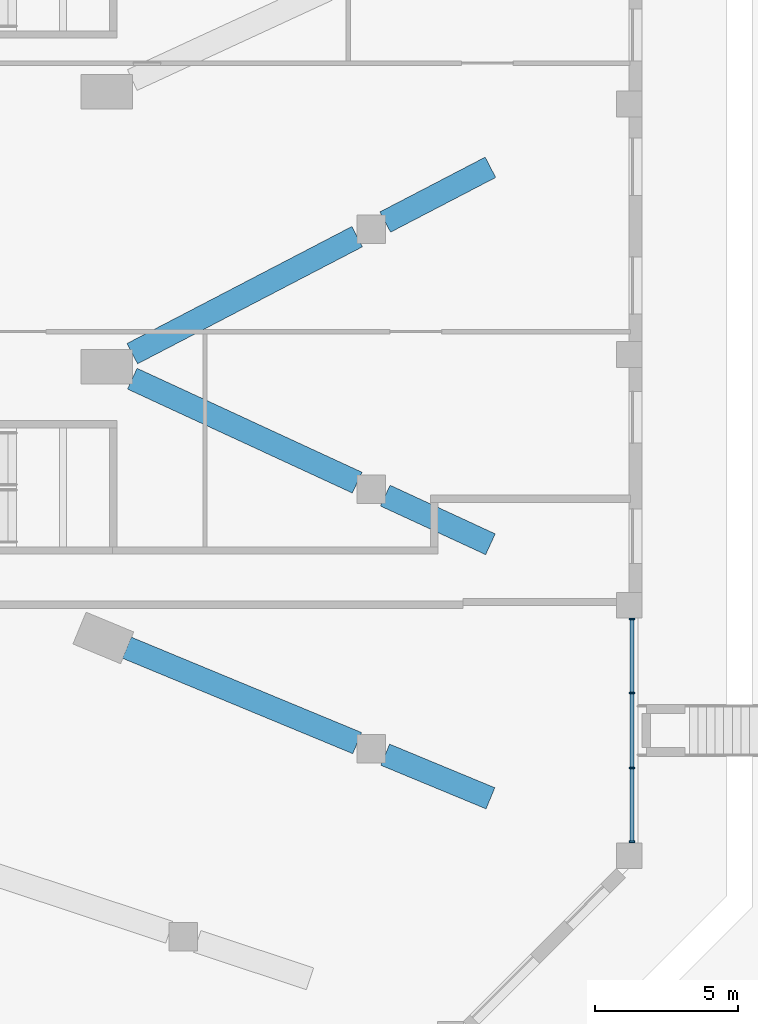
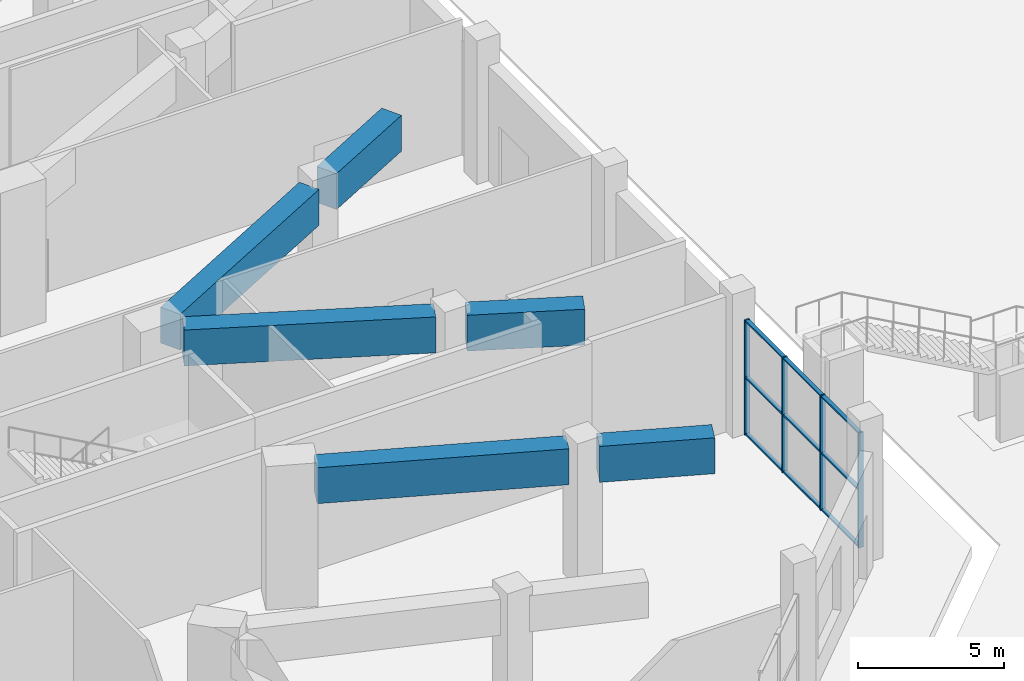
# One storey, part 9 of 36: 13 members, 6 beams, 1 element without a shape of its own.
"""IFC4 building model written with IfcOpenShell, lengths in metres."""

from ifc_helpers import new_model, si_unit, direction, frame, origin, origin_2d, place, context, subcontext, project, spatial, rectangle, extrude, material, material_profile, profile_set, type_object, element, aggregate, save


model = new_model("IFC4")

# Units and contexts
model_context = context("Model", 3, precision=1e-05, world=origin(), true_north=direction((0.0, 1.0)))
body_context = subcontext(model_context, "Body", "Model", "MODEL_VIEW")
ifc_project = project(units=[si_unit("LENGTHUNIT", "METRE"), si_unit("AREAUNIT", "SQUARE_METRE"), si_unit("VOLUMEUNIT", "CUBIC_METRE"), si_unit("PLANEANGLEUNIT", "RADIAN"), si_unit("MASSUNIT", "GRAM", prefix="KILO")], contexts=[model_context])

# Site, building, storey
site_placement = place(None, origin())
site = spatial("IfcSite", under=ifc_project, at=site_placement, CompositionType="ELEMENT")
building_placement = place(site_placement, origin())
building = spatial("IfcBuilding", under=site, at=building_placement, Name="Msitu Wima Residences", CompositionType="ELEMENT")
storey_placement = place(building_placement, origin())
storey = spatial("IfcBuildingStorey", under=building, at=storey_placement, Name="L00", CompositionType="ELEMENT", Elevation=0.0)

# Curtain wall, members
ifc_material_1 = material(Name="Anodised aluminium, bronze finish, clear laminated low-emissivity double glazing", Category="aluminium")
curtain_wall_type = type_object("IfcCurtainWallType", Name="Curtain wall CW1 shopfront", PredefinedType="NOTDEFINED", material=ifc_material_1)
curtain_wall_placement = place(storey_placement, origin())
curtain_wall = element("IfcCurtainWall", 1, at=curtain_wall_placement, inside=storey, type_object=curtain_wall_type, Name="Curtain wall CW1 L00 E0", PredefinedType="NOTDEFINED")
ifc_material_2 = material(Name="Anodised aluminium, bronze finish", Category="aluminium")
ifc_material_profile_1 = material_profile(ifc_material_2, rectangle(XDim=0.199951171875, YDim=0.06494140625, at=origin_2d()), Name="Mullion 65x200")
ifc_profile_set_1 = profile_set([ifc_material_profile_1], Name="Anodised aluminium, bronze finish")
member_type_1 = type_object("IfcMemberType", Name="Mullion CW1 65x200", PredefinedType="MULLION", material=ifc_profile_set_1)
member_1_placement = place(storey_placement, frame((46.89990234375, -21.373291015625, 0.0), z_axis=(0.0, 0.0, 1.0), x_axis=(-1.0, 0.0, 0.0)))
member_1 = element("IfcMember", 2, at=member_1_placement, type_object=member_type_1, Name="CW1 mullion 1", PredefinedType="MULLION", context=body_context, shape_type="SweptSolid", body=[
    extrude(rectangle(XDim=0.199951171875, YDim=0.06494140625, at=origin_2d()), origin(), (0.0, 0.0, 1.0), 4.800048828125),
])
member_2_placement = place(storey_placement, frame((46.89990234375, -18.791748046875, 0.0), z_axis=(0.0, 0.0, 1.0), x_axis=(-1.0, 0.0, 0.0)))
member_2 = element("IfcMember", 3, at=member_2_placement, type_object=member_type_1, Name="CW1 mullion 2", PredefinedType="MULLION", context=body_context, shape_type="SweptSolid", body=[
    extrude(rectangle(XDim=0.199951171875, YDim=0.06494140625, at=origin_2d()), origin(), (0.0, 0.0, 1.0), 4.800048828125),
])
member_3_placement = place(storey_placement, frame((46.89990234375, -16.177734375, 0.0), z_axis=(0.0, 0.0, 1.0), x_axis=(-1.0, 0.0, 0.0)))
member_3 = element("IfcMember", 4, at=member_3_placement, type_object=member_type_1, Name="CW1 mullion 3", PredefinedType="MULLION", context=body_context, shape_type="SweptSolid", body=[
    extrude(rectangle(XDim=0.199951171875, YDim=0.06494140625, at=origin_2d()), origin(), (0.0, 0.0, 1.0), 4.800048828125),
])
member_4_placement = place(storey_placement, frame((46.89990234375, -13.595947265625, 0.0), z_axis=(0.0, 0.0, 1.0), x_axis=(-1.0, 0.0, 0.0)))
member_4 = element("IfcMember", 5, at=member_4_placement, type_object=member_type_1, Name="CW1 mullion 4", PredefinedType="MULLION", context=body_context, shape_type="SweptSolid", body=[
    extrude(rectangle(XDim=0.199951171875, YDim=0.06494140625, at=origin_2d()), origin(), (0.0, 0.0, 1.0), 4.800048828125),
])

# Beams
ifc_material_3 = material(Name="Concrete C60/75", Category="concrete")
ifc_material_profile_2 = material_profile(ifc_material_3, rectangle(XDim=0.800048828125, YDim=1.5, at=origin_2d()), Name="RC 800x1500")
ifc_profile_set_2 = profile_set([ifc_material_profile_2], Name="Concrete C60/75")
beam_type_1 = type_object("IfcBeamType", Name="Podium cantilever girder RC 800x1500 Concrete C60/75", PredefinedType="BEAM", material=ifc_profile_set_2)
beam_1_placement = place(storey_placement, frame((29.274658203125, -14.5966796875, 4.89990234375), z_axis=(0.923886159432, -0.382667433171, 0.0), x_axis=(0.382667433171, 0.923886159432, 0.0)))
element("IfcBeam", 6, at=beam_1_placement, inside=storey, type_object=beam_type_1, Name="Podium cantilever girder L01 C-E0 back-span", PredefinedType="BEAM", context=body_context, shape_type="SweptSolid", body=[
    extrude(rectangle(XDim=0.800048828125, YDim=1.5, at=origin_2d()), origin(), (0.0, 0.0, 1.0), 8.698486328125),
])
beam_2_placement = place(storey_placement, frame((29.464111328125, -5.2109375, 4.89990234375), z_axis=(0.907721172482, -0.419573918432, 0.0), x_axis=(0.419573918432, 0.907721172482, 0.0)))
element("IfcBeam", 7, at=beam_2_placement, inside=storey, type_object=beam_type_1, Name="Podium cantilever girder L01 C-E1 back-span", PredefinedType="BEAM", context=body_context, shape_type="SweptSolid", body=[
    extrude(rectangle(XDim=0.800048828125, YDim=1.5, at=origin_2d()), origin(), (0.0, 0.0, 1.0), 8.644287109375),
])
beam_3_placement = place(storey_placement, frame((29.46435546875, -4.337158203125, 4.89990234375), z_axis=(0.887101077675, 0.461575213793, 0.0), x_axis=(-0.461575213793, 0.887101077675, 0.0)))
element("IfcBeam", 8, at=beam_3_placement, inside=storey, type_object=beam_type_1, Name="Podium cantilever girder L01 C-E2 back-span", PredefinedType="BEAM", context=body_context, shape_type="SweptSolid", body=[
    extrude(rectangle(XDim=0.800048828125, YDim=1.5, at=origin_2d()), origin(), (0.0, 0.0, 1.0), 8.8447265625),
])
ifc_material_profile_3 = material_profile(ifc_material_3, rectangle(XDim=0.800048828125, YDim=1.5, at=origin_2d()), Name="RC 800x1500")
ifc_profile_set_3 = profile_set([ifc_material_profile_3], Name="Concrete C60/75")
beam_type_2 = type_object("IfcBeamType", Name="Podium cantilever girder tip RC 800x1500 Concrete C60/75", PredefinedType="BEAM", material=ifc_profile_set_3)
beam_4_placement = place(storey_placement, frame((38.288818359375, -18.330322265625, 4.89990234375), z_axis=(0.923870855056, -0.382704380924, 0.0), x_axis=(0.382704380924, 0.923870855056, 0.0)))
element("IfcBeam", 9, at=beam_4_placement, inside=storey, type_object=beam_type_2, Name="Podium cantilever girder L01 C-E0 cantilever", PredefinedType="BEAM", context=body_context, shape_type="SweptSolid", body=[
    extrude(rectangle(XDim=0.800048828125, YDim=1.5, at=origin_2d()), origin(), (0.0, 0.0, 1.0), 3.974853515625),
])
beam_5_placement = place(storey_placement, frame((38.2890625, -9.2900390625, 4.89990234375), z_axis=(0.907718998306, -0.419578622089, 0.0), x_axis=(0.419578622089, 0.907718998306, 0.0)))
element("IfcBeam", 10, at=beam_5_placement, inside=storey, type_object=beam_type_2, Name="Podium cantilever girder L01 C-E1 cantilever", PredefinedType="BEAM", context=body_context, shape_type="SweptSolid", body=[
    extrude(rectangle(XDim=0.800048828125, YDim=1.5, at=origin_2d()), origin(), (0.0, 0.0, 1.0), 4.045166015625),
])
beam_6_placement = place(storey_placement, frame((38.289306640625, 0.254638671875, 4.89990234375), z_axis=(0.887114398649, 0.46154961132, 0.0), x_axis=(-0.46154961132, 0.887114398649, 0.0)))
element("IfcBeam", 11, at=beam_6_placement, inside=storey, type_object=beam_type_2, Name="Podium cantilever girder L01 C-E2 cantilever", PredefinedType="BEAM", context=body_context, shape_type="SweptSolid", body=[
    extrude(rectangle(XDim=0.800048828125, YDim=1.5, at=origin_2d()), origin(), (0.0, 0.0, 1.0), 4.138671875),
])

# Member
ifc_material_profile_4 = material_profile(ifc_material_2, rectangle(XDim=0.14990234375, YDim=0.06494140625, at=origin_2d()), Name="Transom 65x150")
ifc_profile_set_4 = profile_set([ifc_material_profile_4], Name="Anodised aluminium, bronze finish")
member_type_2 = type_object("IfcMemberType", Name="Transom CW1 65x150", PredefinedType="USERDEFINED", material=ifc_profile_set_4)
member_5_placement = place(storey_placement, frame((46.89990234375, -21.3408203125, 0.032470703125), z_axis=(0.0, 1.0, 0.0), x_axis=(-1.0, 0.0, 0.0)))
member_5 = element("IfcMember", 12, at=member_5_placement, type_object=member_type_2, Name="CW1 transom 1.1", ObjectType="TRANSOM", PredefinedType="USERDEFINED", context=body_context, shape_type="SweptSolid", body=[
    extrude(rectangle(XDim=0.14990234375, YDim=0.06494140625, at=origin_2d()), origin(), (0.0, 0.0, 1.0), 2.5166015625),
])

member_6_placement = place(storey_placement, frame((46.89990234375, -21.3408203125, 2.39990234375), z_axis=(0.0, 1.0, 0.0), x_axis=(-1.0, 0.0, 0.0)))
member_6 = element("IfcMember", 13, at=member_6_placement, type_object=member_type_2, Name="CW1 transom 1.2", ObjectType="TRANSOM", PredefinedType="USERDEFINED", context=body_context, shape_type="SweptSolid", body=[
    extrude(rectangle(XDim=0.14990234375, YDim=0.06494140625, at=origin_2d()), origin(), (0.0, 0.0, 1.0), 2.5166015625),
])

member_7_placement = place(storey_placement, frame((46.89990234375, -21.3408203125, 4.767578125), z_axis=(0.0, 1.0, 0.0), x_axis=(-1.0, 0.0, 0.0)))
member_7 = element("IfcMember", 14, at=member_7_placement, type_object=member_type_2, Name="CW1 transom 1.3", ObjectType="TRANSOM", PredefinedType="USERDEFINED", context=body_context, shape_type="SweptSolid", body=[
    extrude(rectangle(XDim=0.14990234375, YDim=0.06494140625, at=origin_2d()), origin(), (0.0, 0.0, 1.0), 2.5166015625),
])

member_8_placement = place(storey_placement, frame((46.89990234375, -18.75927734375, 0.032470703125), z_axis=(0.0, 1.0, 0.0), x_axis=(-1.0, 0.0, 0.0)))
member_8 = element("IfcMember", 15, at=member_8_placement, type_object=member_type_2, Name="CW1 transom 2.1", ObjectType="TRANSOM", PredefinedType="USERDEFINED", context=body_context, shape_type="SweptSolid", body=[
    extrude(rectangle(XDim=0.14990234375, YDim=0.06494140625, at=origin_2d()), origin(), (0.0, 0.0, 1.0), 2.549072265625),
])

member_9_placement = place(storey_placement, frame((46.89990234375, -18.75927734375, 2.39990234375), z_axis=(0.0, 1.0, 0.0), x_axis=(-1.0, 0.0, 0.0)))
member_9 = element("IfcMember", 16, at=member_9_placement, type_object=member_type_2, Name="CW1 transom 2.2", ObjectType="TRANSOM", PredefinedType="USERDEFINED", context=body_context, shape_type="SweptSolid", body=[
    extrude(rectangle(XDim=0.14990234375, YDim=0.06494140625, at=origin_2d()), origin(), (0.0, 0.0, 1.0), 2.549072265625),
])

member_10_placement = place(storey_placement, frame((46.89990234375, -18.75927734375, 4.767578125), z_axis=(0.0, 1.0, 0.0), x_axis=(-1.0, 0.0, 0.0)))
member_10 = element("IfcMember", 17, at=member_10_placement, type_object=member_type_2, Name="CW1 transom 2.3", ObjectType="TRANSOM", PredefinedType="USERDEFINED", context=body_context, shape_type="SweptSolid", body=[
    extrude(rectangle(XDim=0.14990234375, YDim=0.06494140625, at=origin_2d()), origin(), (0.0, 0.0, 1.0), 2.549072265625),
])

member_11_placement = place(storey_placement, frame((46.89990234375, -16.14501953125, 0.032470703125), z_axis=(0.0, 1.0, 0.0), x_axis=(-1.0, 0.0, 0.0)))
member_11 = element("IfcMember", 18, at=member_11_placement, type_object=member_type_2, Name="CW1 transom 3.1", ObjectType="TRANSOM", PredefinedType="USERDEFINED", context=body_context, shape_type="SweptSolid", body=[
    extrude(rectangle(XDim=0.14990234375, YDim=0.06494140625, at=origin_2d()), origin(), (0.0, 0.0, 1.0), 2.5166015625),
])

member_12_placement = place(storey_placement, frame((46.89990234375, -16.14501953125, 2.39990234375), z_axis=(0.0, 1.0, 0.0), x_axis=(-1.0, 0.0, 0.0)))
member_12 = element("IfcMember", 19, at=member_12_placement, type_object=member_type_2, Name="CW1 transom 3.2", ObjectType="TRANSOM", PredefinedType="USERDEFINED", context=body_context, shape_type="SweptSolid", body=[
    extrude(rectangle(XDim=0.14990234375, YDim=0.06494140625, at=origin_2d()), origin(), (0.0, 0.0, 1.0), 2.5166015625),
])

member_13_placement = place(storey_placement, frame((46.89990234375, -16.14501953125, 4.767578125), z_axis=(0.0, 1.0, 0.0), x_axis=(-1.0, 0.0, 0.0)))
member_13 = element("IfcMember", 20, at=member_13_placement, type_object=member_type_2, Name="CW1 transom 3.3", ObjectType="TRANSOM", PredefinedType="USERDEFINED", context=body_context, shape_type="SweptSolid", body=[
    extrude(rectangle(XDim=0.14990234375, YDim=0.06494140625, at=origin_2d()), origin(), (0.0, 0.0, 1.0), 2.5166015625),
])

aggregate(curtain_wall, [member_1, member_2, member_3, member_4, member_5, member_6, member_7, member_8, member_9, member_10, member_11, member_12, member_13])

save(model, "model.ifc")
